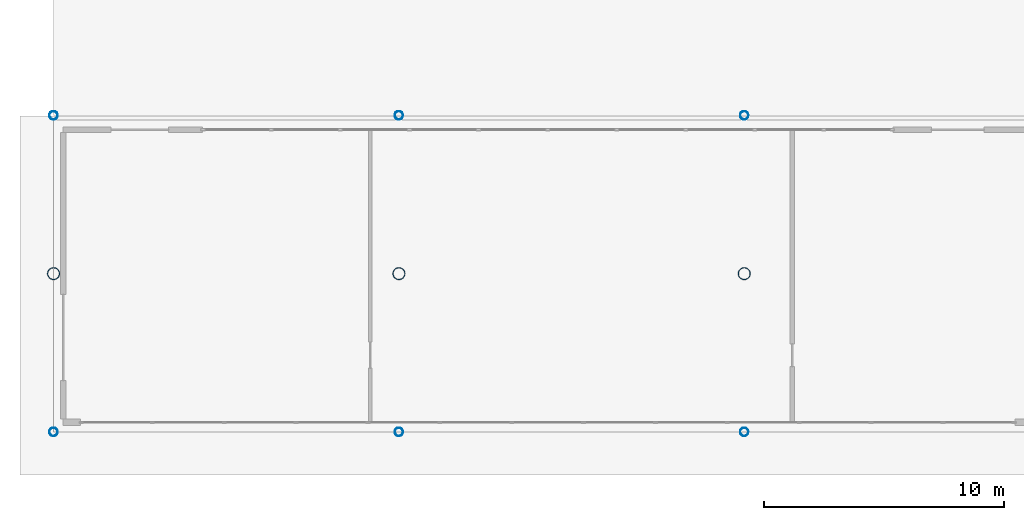
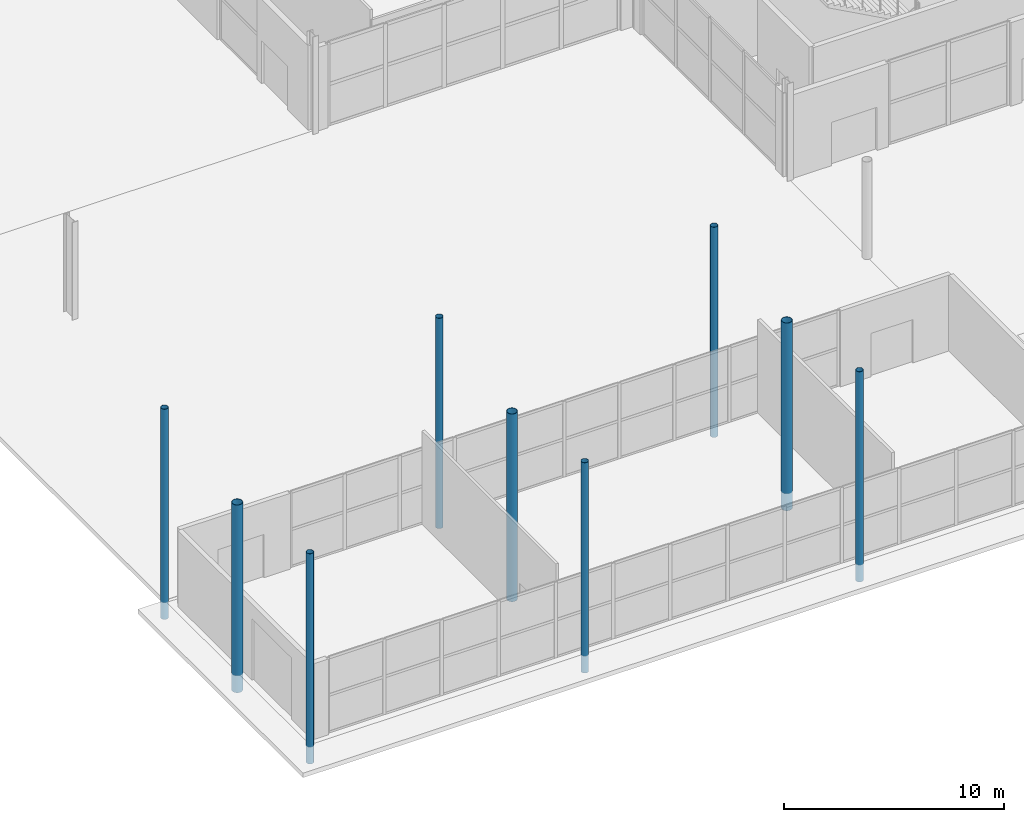
# One storey, part 1 of 87: 9 columns.
"""IFC4 building model written with IfcOpenShell, lengths in metres."""

from ifc_helpers import new_model, si_unit, direction, frame, origin, origin_2d, place, context, subcontext, project, spatial, hollow_circle, extrude, material, material_profile, profile_set, type_object, element, save


model = new_model("IFC4")

# Units and contexts
model_context = context("Model", 3, precision=1e-05, world=origin(), true_north=direction((0.0, 1.0)))
body_context = subcontext(model_context, "Body", "Model", "MODEL_VIEW")
ifc_project = project(units=[si_unit("LENGTHUNIT", "METRE"), si_unit("AREAUNIT", "SQUARE_METRE"), si_unit("VOLUMEUNIT", "CUBIC_METRE"), si_unit("PLANEANGLEUNIT", "RADIAN"), si_unit("MASSUNIT", "GRAM", prefix="KILO")], contexts=[model_context])

# Site, building, storey
site_placement = place(None, origin())
site = spatial("IfcSite", under=ifc_project, at=site_placement, CompositionType="ELEMENT")
building_placement = place(site_placement, origin())
building = spatial("IfcBuilding", under=site, at=building_placement, Name="Kimbaza Rail Terminus", CompositionType="ELEMENT")
storey_placement = place(building_placement, origin())
storey = spatial("IfcBuildingStorey", under=building, at=storey_placement, Name="L00", CompositionType="ELEMENT", Elevation=0.0)

# Columns
ifc_material_1 = material(Name="White painted steel S355", Category="steel")
ifc_material_profile_1 = material_profile(ifc_material_1, hollow_circle(Radius=0.177734375, WallThickness=0.012451171875, at=origin_2d()), Name="CHS 355.6x12.5")
ifc_profile_set_1 = profile_set([ifc_material_profile_1], Name="White painted steel S355")
column_type_1 = type_object("IfcColumnType", Name="STR-COL-CHS355", PredefinedType="PILASTER", material=ifc_profile_set_1)
for number, where, z_axis, x_axis, name in (
    (1, (14.0, 13.0, -0.949951171875), (0.0, 0.0, 1.0), (1.0, 0.0, 0.0), "Forecourt Canopy Column (0,0)"),
    (2, (14.0, 26.199951171875, -0.949951171875), (0.0, 0.0, 1.0), (1.0, 0.0, 0.0), "Forecourt Canopy Column (0,2)"),
    (3, (28.39990234375, 13.0, -0.949951171875), (0.0, 0.0, 1.0), (1.0, 0.0, 0.0), "Forecourt Canopy Column (1,0)"),
    (4, (28.39990234375, 26.199951171875, -0.949951171875), (0.0, 0.0, 1.0), (1.0, 0.0, 0.0), "Forecourt Canopy Column (1,2)"),
    (5, (42.800048828125, 13.0, -0.949951171875), (0.0, 0.0, 1.0), (1.0, 0.0, 0.0), "Forecourt Canopy Column (2,0)"),
    (6, (42.800048828125, 26.199951171875, -0.949951171875), (0.0, 0.0, 1.0), (1.0, 0.0, 0.0), "Forecourt Canopy Column (2,2)"),
):
    element("IfcColumn", number, at=place(storey_placement, frame(where, z_axis=z_axis, x_axis=x_axis)), inside=storey, type_object=column_type_1, Name=name, PredefinedType="PILASTER", context=body_context, shape_type="SweptSolid", body=[
        extrude(hollow_circle(Radius=0.177734375, WallThickness=0.012451171875, at=origin_2d()), origin(), (0.0, 0.0, 1.0), 11.64990234375),
    ])
ifc_material_2 = material(Name="White painted steel S355", Category="steel")
ifc_material_profile_2 = material_profile(ifc_material_2, hollow_circle(Radius=0.25390625, WallThickness=0.01611328125, at=origin_2d()), Name="CHS 508x16")
ifc_profile_set_2 = profile_set([ifc_material_profile_2], Name="White painted steel S355")
column_type_2 = type_object("IfcColumnType", Name="STR-COL-CHS508", PredefinedType="COLUMN", material=ifc_profile_set_2)
for number, where, z_axis, x_axis, name in (
    (7, (14.0, 19.60009765625, -0.949951171875), (0.0, 0.0, 1.0), (1.0, 0.0, 0.0), "Forecourt Canopy Column (0,1)"),
    (8, (28.39990234375, 19.60009765625, -0.949951171875), (0.0, 0.0, 1.0), (1.0, 0.0, 0.0), "Forecourt Canopy Column (1,1)"),
    (9, (42.800048828125, 19.60009765625, -0.949951171875), (0.0, 0.0, 1.0), (1.0, 0.0, 0.0), "Forecourt Canopy Column (2,1)"),
):
    element("IfcColumn", number, at=place(storey_placement, frame(where, z_axis=z_axis, x_axis=x_axis)), inside=storey, type_object=column_type_2, Name=name, PredefinedType="COLUMN", context=body_context, shape_type="SweptSolid", body=[
        extrude(hollow_circle(Radius=0.25390625, WallThickness=0.01611328125, at=origin_2d()), origin(), (0.0, 0.0, 1.0), 10.39990234375),
    ])

save(model, "model.ifc")
